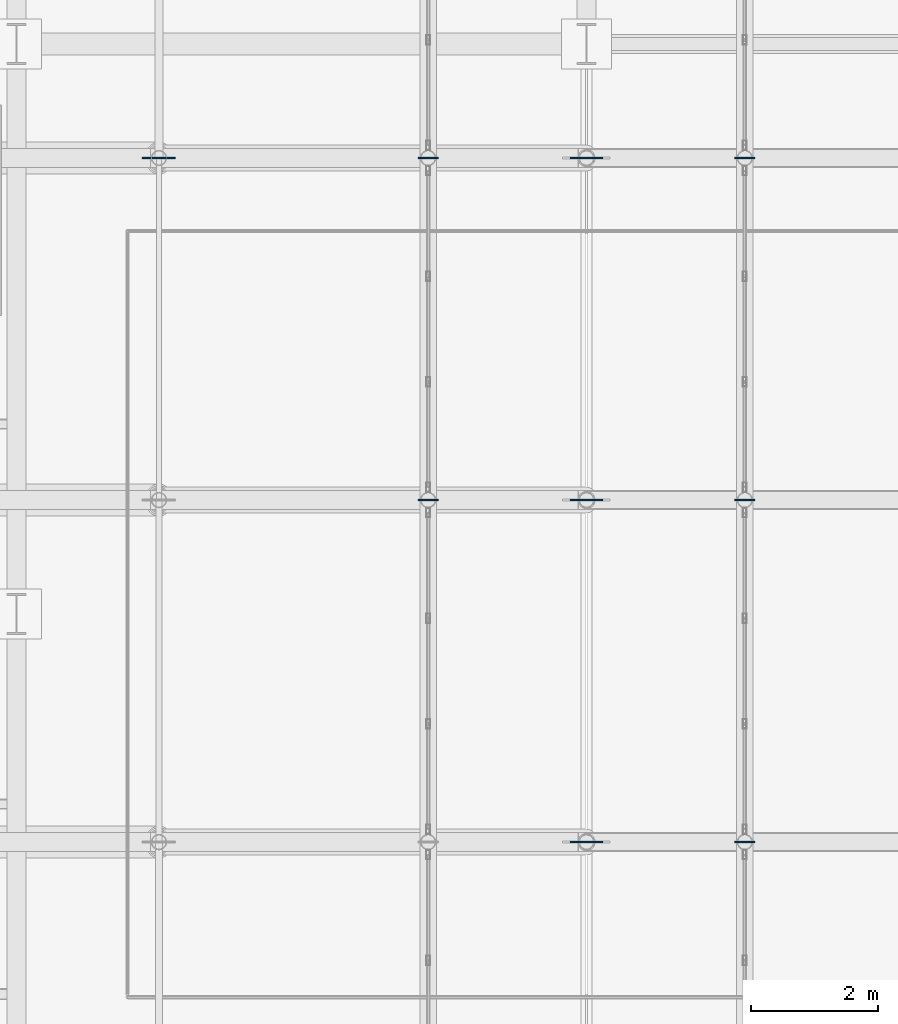
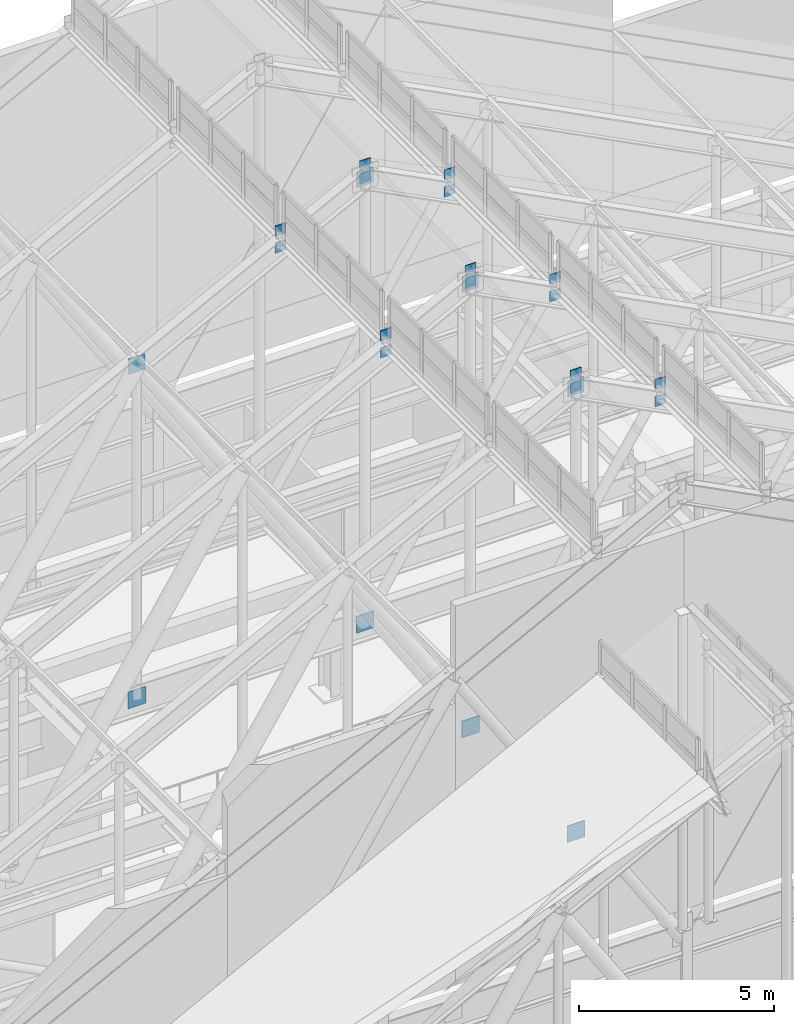
# One storey, part 78 of 84: 24 plates.
"""IFC4 building model written with IfcOpenShell, lengths in metres."""

from ifc_helpers import new_model, si_unit, direction, frame, origin, origin_2d, place, context, subcontext, project, spatial, rectangle, extrude, material, layer, layer_set, type_object, element, save


model = new_model("IFC4")

# Units and contexts
model_context = context("Model", 3, precision=1e-05, world=origin(), true_north=direction((0.0, 1.0)))
body_context = subcontext(model_context, "Body", "Model", "MODEL_VIEW")
ifc_project = project(units=[si_unit("LENGTHUNIT", "METRE"), si_unit("AREAUNIT", "SQUARE_METRE"), si_unit("VOLUMEUNIT", "CUBIC_METRE"), si_unit("PLANEANGLEUNIT", "RADIAN"), si_unit("MASSUNIT", "GRAM", prefix="KILO")], contexts=[model_context])

# Site, building, storey
site_placement = place(None, origin())
site = spatial("IfcSite", under=ifc_project, at=site_placement, CompositionType="ELEMENT")
building_placement = place(site_placement, origin())
building = spatial("IfcBuilding", under=site, at=building_placement, Name="Sundgate Opera House", CompositionType="ELEMENT")
storey_placement = place(building_placement, frame((0.0, 0.0, 30.60009765625)))
storey = spatial("IfcBuildingStorey", under=building, at=storey_placement, Name="L06", CompositionType="ELEMENT", Elevation=30.60009765625)

# Plates
ifc_material_1 = material(Name="Steel S355J2", Category="steel")
ifc_layer_1 = layer(ifc_material_1, 0.02001953125)
ifc_layer_set_1 = layer_set([ifc_layer_1], Name="Steel S355J2")
plate_type_1 = type_object("IfcPlateType", Name="PT-GUS-20", PredefinedType="USERDEFINED", material=ifc_layer_set_1)
for number, where, z_axis, x_axis, name in (
    (1, (54.0, 65.39990234375, 17.0400390625), (0.0, 0.0, 1.0), (1.0, 0.0, 0.0), "L06 Lantern Post Base Gusset"),
    (2, (54.0, 65.39990234375, 17.43994140625), (0.0, 0.0, 1.0), (1.0, 0.0, 0.0), "L06 Lantern Post Cap Gusset"),
    (3, (56.5, 65.39990234375, 15.751953125), (0.0, 0.0, 1.0), (1.0, 0.0, 0.0), "L06 Lantern Post Base Gusset"),
    (4, (56.5, 65.39990234375, 16.27978515625), (0.0, 0.0, 1.0), (1.0, 0.0, 0.0), "L06 Lantern Post Cap Gusset"),
    (5, (51.5, 70.800048828125, 15.751953125), (0.0, 0.0, 1.0), (1.0, 0.0, 0.0), "L06 Lantern Post Base Gusset"),
    (6, (51.5, 70.800048828125, 16.27978515625), (0.0, 0.0, 1.0), (1.0, 0.0, 0.0), "L06 Lantern Post Cap Gusset"),
    (7, (54.0, 70.800048828125, 17.0400390625), (0.0, 0.0, 1.0), (1.0, 0.0, 0.0), "L06 Lantern Post Base Gusset"),
    (8, (54.0, 70.800048828125, 17.43994140625), (0.0, 0.0, 1.0), (1.0, 0.0, 0.0), "L06 Lantern Post Cap Gusset"),
    (9, (56.5, 70.800048828125, 15.751953125), (0.0, 0.0, 1.0), (1.0, 0.0, 0.0), "L06 Lantern Post Base Gusset"),
    (10, (56.5, 70.800048828125, 16.27978515625), (0.0, 0.0, 1.0), (1.0, 0.0, 0.0), "L06 Lantern Post Cap Gusset"),
    (11, (51.5, 76.199951171875, 15.751953125), (0.0, 0.0, 1.0), (1.0, 0.0, 0.0), "L06 Lantern Post Base Gusset"),
    (12, (51.5, 76.199951171875, 16.27978515625), (0.0, 0.0, 1.0), (1.0, 0.0, 0.0), "L06 Lantern Post Cap Gusset"),
    (13, (54.0, 76.199951171875, 17.0400390625), (0.0, 0.0, 1.0), (1.0, 0.0, 0.0), "L06 Lantern Post Base Gusset"),
    (14, (54.0, 76.199951171875, 17.43994140625), (0.0, 0.0, 1.0), (1.0, 0.0, 0.0), "L06 Lantern Post Cap Gusset"),
    (15, (56.5, 76.199951171875, 15.751953125), (0.0, 0.0, 1.0), (1.0, 0.0, 0.0), "L06 Lantern Post Base Gusset"),
    (16, (56.5, 76.199951171875, 16.27978515625), (0.0, 0.0, 1.0), (1.0, 0.0, 0.0), "L06 Lantern Post Cap Gusset"),
):
    element("IfcPlate", number, at=place(storey_placement, frame(where, z_axis=z_axis, x_axis=x_axis)), inside=storey, type_object=plate_type_1, Name=name, ObjectType="GUSSET PLATE", PredefinedType="USERDEFINED", context=body_context, shape_type="SweptSolid", body=[
        extrude(rectangle(XDim=0.320068359375, YDim=0.02001953125, at=origin_2d()), origin(), (0.0, 0.0, 1.0), 0.320068359375),
    ])
ifc_material_2 = material(Name="Steel S355J2", Category="steel")
ifc_layer_2 = layer(ifc_material_2, 0.02490234375)
ifc_layer_set_2 = layer_set([ifc_layer_2], Name="Steel S355J2")
plate_type_2 = type_object("IfcPlateType", Name="PT-GUS-25", PredefinedType="USERDEFINED", material=ifc_layer_set_2)
plate_1_placement = place(storey_placement, frame((54.0, 65.39990234375, 3.02978515625), z_axis=(0.0, 0.0, 1.0), x_axis=(1.0, 0.0, 0.0)))
element("IfcPlate", 17, at=plate_1_placement, inside=storey, type_object=plate_type_2, Name="L06 Truss Lower Node Gusset Plate", ObjectType="GUSSET PLATE", PredefinedType="USERDEFINED", context=body_context, shape_type="SweptSolid", body=[
    extrude(rectangle(XDim=0.52001953125, YDim=0.02490234375, at=origin_2d()), origin(), (0.0, 0.0, 1.0), 0.52001953125),
])
plate_2_placement = place(storey_placement, frame((54.0, 65.39990234375, 16.9599609375), z_axis=(0.0, 0.0, 1.0), x_axis=(1.0, 0.0, 0.0)))
element("IfcPlate", 18, at=plate_2_placement, inside=storey, type_object=plate_type_2, Name="L06 Truss Upper Node Gusset Plate", ObjectType="GUSSET PLATE", PredefinedType="USERDEFINED", context=body_context, shape_type="SweptSolid", body=[
    extrude(rectangle(XDim=0.47998046875, YDim=0.02490234375, at=origin_2d()), origin(), (0.0, 0.0, 1.0), 0.47998046875),
])
plate_3_placement = place(storey_placement, frame((54.0, 70.800048828125, 3.02978515625), z_axis=(0.0, 0.0, 1.0), x_axis=(1.0, 0.0, 0.0)))
element("IfcPlate", 19, at=plate_3_placement, inside=storey, type_object=plate_type_2, Name="L06 Truss Lower Node Gusset Plate", ObjectType="GUSSET PLATE", PredefinedType="USERDEFINED", context=body_context, shape_type="SweptSolid", body=[
    extrude(rectangle(XDim=0.52001953125, YDim=0.02490234375, at=origin_2d()), origin(), (0.0, 0.0, 1.0), 0.52001953125),
])
for number, where, z_axis, x_axis, name in (
    (20, (54.0, 70.800048828125, 16.9599609375), (0.0, 0.0, 1.0), (1.0, 0.0, 0.0), "L06 Truss Upper Node Gusset Plate"),
    (21, (47.25, 76.199951171875, 13.482421875), (0.0, 0.0, 1.0), (1.0, 0.0, 0.0), "L06 Truss Upper Node Gusset Plate"),
):
    element("IfcPlate", number, at=place(storey_placement, frame(where, z_axis=z_axis, x_axis=x_axis)), inside=storey, type_object=plate_type_2, Name=name, ObjectType="GUSSET PLATE", PredefinedType="USERDEFINED", context=body_context, shape_type="SweptSolid", body=[
        extrude(rectangle(XDim=0.47998046875, YDim=0.02490234375, at=origin_2d()), origin(), (0.0, 0.0, 1.0), 0.47998046875),
    ])
plate_4_placement = place(storey_placement, frame((54.0, 76.199951171875, 3.02978515625), z_axis=(0.0, 0.0, 1.0), x_axis=(1.0, 0.0, 0.0)))
element("IfcPlate", 22, at=plate_4_placement, inside=storey, type_object=plate_type_2, Name="L06 Truss Lower Node Gusset Plate", ObjectType="GUSSET PLATE", PredefinedType="USERDEFINED", context=body_context, shape_type="SweptSolid", body=[
    extrude(rectangle(XDim=0.52001953125, YDim=0.02490234375, at=origin_2d()), origin(), (0.0, 0.0, 1.0), 0.52001953125),
])
plate_5_placement = place(storey_placement, frame((54.0, 76.199951171875, 16.9599609375), z_axis=(0.0, 0.0, 1.0), x_axis=(1.0, 0.0, 0.0)))
element("IfcPlate", 23, at=plate_5_placement, inside=storey, type_object=plate_type_2, Name="L06 Truss Upper Node Gusset Plate", ObjectType="GUSSET PLATE", PredefinedType="USERDEFINED", context=body_context, shape_type="SweptSolid", body=[
    extrude(rectangle(XDim=0.47998046875, YDim=0.02490234375, at=origin_2d()), origin(), (0.0, 0.0, 1.0), 0.47998046875),
])
ifc_material_3 = material(Name="Steel S355J2", Category="steel")
ifc_layer_3 = layer(ifc_material_3, 0.028076171875)
ifc_layer_set_3 = layer_set([ifc_layer_3], Name="Steel S355J2")
plate_type_3 = type_object("IfcPlateType", Name="PT-GUS-28", PredefinedType="USERDEFINED", material=ifc_layer_set_3)
plate_6_placement = place(storey_placement, frame((47.25, 76.199951171875, 3.02978515625), z_axis=(0.0, 0.0, 1.0), x_axis=(1.0, 0.0, 0.0)))
element("IfcPlate", 24, at=plate_6_placement, inside=storey, type_object=plate_type_3, Name="L06 Truss Lower Node Gusset Plate", ObjectType="GUSSET PLATE", PredefinedType="USERDEFINED", context=body_context, shape_type="SweptSolid", body=[
    extrude(rectangle(XDim=0.52001953125, YDim=0.028076171875, at=origin_2d()), origin(), (0.0, 0.0, 1.0), 0.52001953125),
])

save(model, "model.ifc")
